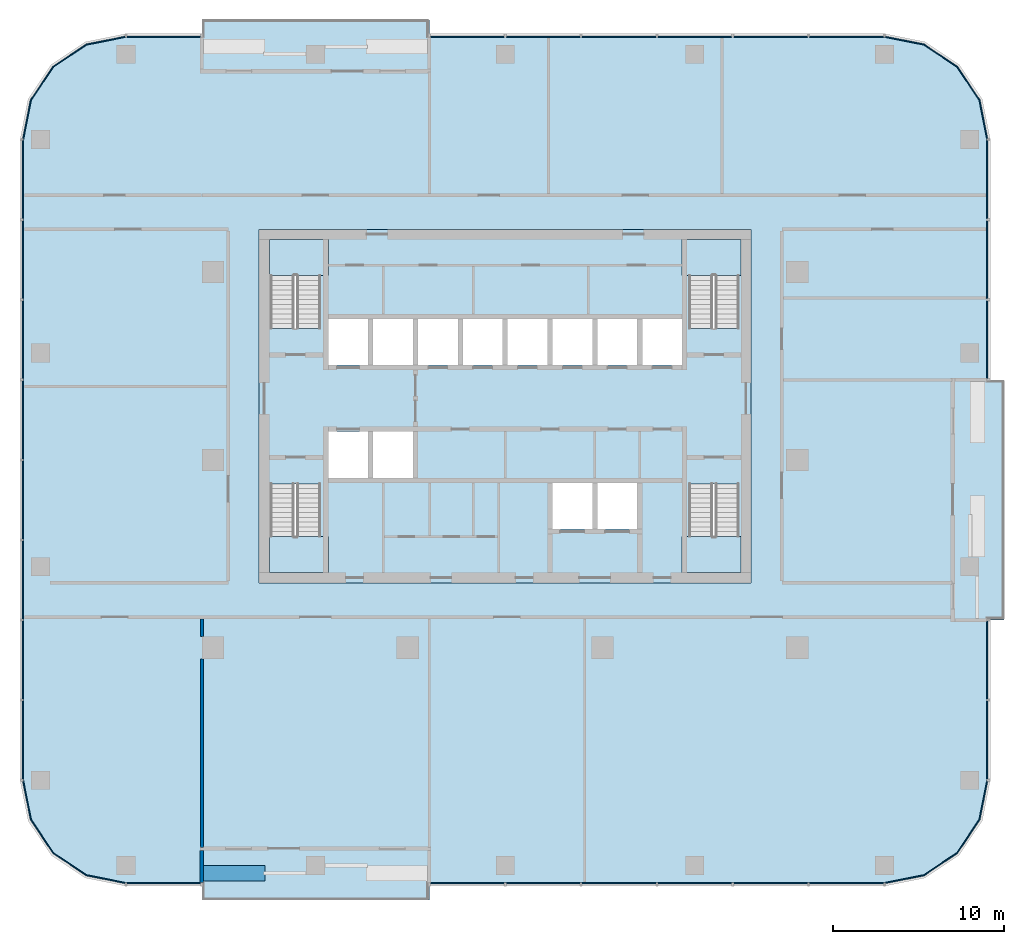
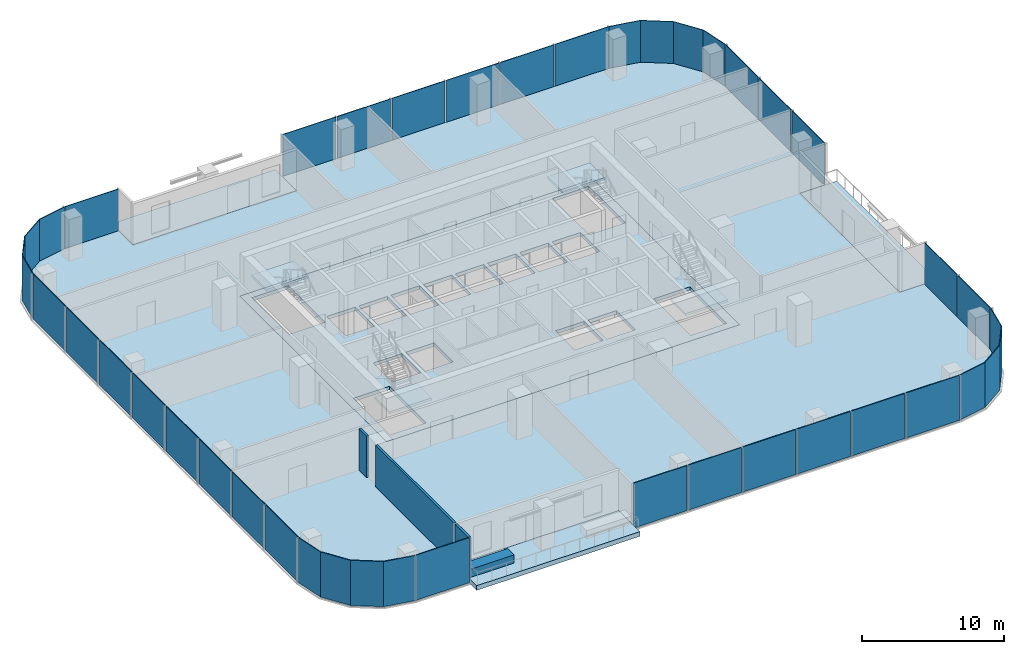
# One storey, part 6 of 14: 31 plates, 9 slabs, 4 walls, 15 elements without a shape of their own.
"""IFC4 building model written with IfcOpenShell, lengths in metres."""

from ifc_helpers import new_model, si_unit, direction, frame, frame_2d, origin, origin_2d, place, context, subcontext, project, spatial, polyline, rectangle, outline, extrude, material, layer, layer_set, type_object, element, aggregate, save


model = new_model("IFC4")

# Units and contexts
model_context = context("Model", 3, precision=1e-05, world=origin(), true_north=direction((0.0, 1.0)))
body_context = subcontext(model_context, "Body", "Model", "MODEL_VIEW")
ifc_project = project(units=[si_unit("LENGTHUNIT", "METRE"), si_unit("AREAUNIT", "SQUARE_METRE"), si_unit("VOLUMEUNIT", "CUBIC_METRE"), si_unit("PLANEANGLEUNIT", "RADIAN"), si_unit("MASSUNIT", "GRAM", prefix="KILO")], contexts=[model_context])

# Site, building, storey
site_placement = place(None, origin())
site = spatial("IfcSite", under=ifc_project, at=site_placement, CompositionType="ELEMENT")
building_placement = place(site_placement, origin())
building = spatial("IfcBuilding", under=site, at=building_placement, Name="Mopane Tessera Tower", CompositionType="ELEMENT")
storey_placement = place(building_placement, frame((0.0, 0.0, 219.0)))
storey = spatial("IfcBuildingStorey", under=building, at=storey_placement, Name="L46", CompositionType="ELEMENT", Elevation=219.0)

# Slab
ifc_material_1 = material(Name="Concrete C40/50", Category="concrete")
ifc_layer_1 = layer(ifc_material_1, 0.300048828125)
ifc_layer_set_1 = layer_set([ifc_layer_1], Name="Concrete C40/50")
slab_type_1 = type_object("IfcSlabType", Name="Core floor slab 300 mm", PredefinedType="FLOOR", material=ifc_layer_set_1)
slab_1_placement = place(storey_placement, frame((0.0, 0.0, -0.300048828125)))
element("IfcSlab", 1, at=slab_1_placement, inside=storey, type_object=slab_type_1, Name="L46 core floor slab", PredefinedType="FLOOR", context=body_context, shape_type="SweptSolid", body=[
    extrude(outline(polyline([(-14.39990234375, -7.199951171875), (14.39990234375, -7.199951171875), (14.39990234375, 13.5), (-14.39990234375, 13.5), (-14.39990234375, -7.199951171875)]), holes=[polyline([(-10.35009765625, -1.050048828125), (-8.02490234375, -1.050048828125), (-8.02490234375, 1.64990234375), (-10.35009765625, 1.64990234375), (-10.35009765625, -1.050048828125)]), polyline([(-7.72509765625, -1.050048828125), (-5.39990234375, -1.050048828125), (-5.39990234375, 1.64990234375), (-7.72509765625, 1.64990234375), (-7.72509765625, -1.050048828125)]), polyline([(-10.35009765625, 5.550048828125), (-8.02490234375, 5.550048828125), (-8.02490234375, 8.25), (-10.35009765625, 8.25), (-10.35009765625, 5.550048828125)]), polyline([(-7.72509765625, 5.550048828125), (-5.39990234375, 5.550048828125), (-5.39990234375, 8.25), (-7.72509765625, 8.25), (-7.72509765625, 5.550048828125)]), polyline([(-5.10009765625, 5.550048828125), (-2.77490234375, 5.550048828125), (-2.77490234375, 8.25), (-5.10009765625, 8.25), (-5.10009765625, 5.550048828125)]), polyline([(-2.47509765625, 5.550048828125), (-0.14990234375, 5.550048828125), (-0.14990234375, 8.25), (-2.47509765625, 8.25), (-2.47509765625, 5.550048828125)]), polyline([(0.14990234375, 5.550048828125), (2.47509765625, 5.550048828125), (2.47509765625, 8.25), (0.14990234375, 8.25), (0.14990234375, 5.550048828125)]), polyline([(2.77490234375, 5.550048828125), (5.10009765625, 5.550048828125), (5.10009765625, 8.25), (2.77490234375, 8.25), (2.77490234375, 5.550048828125)]), polyline([(5.39990234375, 5.550048828125), (7.72509765625, 5.550048828125), (7.72509765625, 8.25), (5.39990234375, 8.25), (5.39990234375, 5.550048828125)]), polyline([(8.02490234375, 5.550048828125), (10.35009765625, 5.550048828125), (10.35009765625, 8.25), (8.02490234375, 8.25), (8.02490234375, 5.550048828125)]), polyline([(2.77490234375, -4.050048828125), (5.10009765625, -4.050048828125), (5.10009765625, -1.35009765625), (2.77490234375, -1.35009765625), (2.77490234375, -4.050048828125)]), polyline([(5.39990234375, -4.050048828125), (7.72509765625, -4.050048828125), (7.72509765625, -1.35009765625), (5.39990234375, -1.35009765625), (5.39990234375, -4.050048828125)]), polyline([(-13.75, -1.405029296875), (-13.75, -6.60009765625), (-10.800048828125, -6.60009765625), (-10.800048828125, -1.405029296875), (-13.75, -1.405029296875)]), polyline([(-10.800048828125, 7.705078125), (-10.800048828125, 12.89990234375), (-13.75, 12.89990234375), (-13.75, 7.705078125), (-10.800048828125, 7.705078125)]), polyline([(10.75, -1.405029296875), (10.75, -6.60009765625), (13.699951171875, -6.60009765625), (13.699951171875, -1.405029296875), (10.75, -1.405029296875)]), polyline([(13.699951171875, 7.705078125), (13.699951171875, 12.89990234375), (10.75, 12.89990234375), (10.75, 7.705078125), (13.699951171875, 7.705078125)])]), origin(), (0.0, 0.0, 1.0), 0.300048828125),
])

# Stair, slab
ifc_material_2 = material(Name="Concrete C50/60", Category="concrete")
stair_type = type_object("IfcStairType", Name="Escape stair 1400 mm, riser 167 mm", PredefinedType="HALF_TURN_STAIR", material=ifc_material_2)
stair_1_placement = place(storey_placement, origin())
stair_1 = element("IfcStair", 2, at=stair_1_placement, inside=storey, type_object=stair_type, Name="L46 Escape stair south-west", PredefinedType="HALF_TURN_STAIR")
ifc_material_3 = material(Name="Concrete C50/60", Category="concrete")
ifc_layer_2 = layer(ifc_material_3, 0.199951171875)
ifc_layer_set_2 = layer_set([ifc_layer_2], Name="Concrete C50/60")
slab_type_2 = type_object("IfcSlabType", Name="Escape stair landing 200 mm", PredefinedType="LANDING", material=ifc_layer_set_2)
slab_2_placement = place(storey_placement, frame((0.0, 0.0, 1.800048828125)))
slab_2 = element("IfcSlab", 3, at=slab_2_placement, type_object=slab_type_2, Name="ST1 landing 1", PredefinedType="LANDING", context=body_context, shape_type="SweptSolid", body=[
    extrude(outline(polyline([(-13.800048828125, -4.47998046875), (-13.800048828125, -6.60009765625), (-10.35009765625, -6.60009765625), (-10.35009765625, -4.47998046875), (-13.800048828125, -4.47998046875)])), origin(), (0.0, 0.0, 1.0), 0.199951171875),
])
aggregate(stair_1, [slab_2])

stair_2_placement = place(storey_placement, origin())
stair_2 = element("IfcStair", 4, at=stair_2_placement, inside=storey, type_object=stair_type, Name="L46 Escape stair north-west", PredefinedType="HALF_TURN_STAIR")
slab_3_placement = place(storey_placement, frame((0.0, 0.0, 1.800048828125)))
slab_3 = element("IfcSlab", 5, at=slab_3_placement, type_object=slab_type_2, Name="ST2 landing 1", PredefinedType="LANDING", context=body_context, shape_type="SweptSolid", body=[
    extrude(outline(polyline([(-10.35009765625, 10.780029296875), (-10.35009765625, 12.89990234375), (-13.800048828125, 12.89990234375), (-13.800048828125, 10.780029296875), (-10.35009765625, 10.780029296875)])), origin(), (0.0, 0.0, 1.0), 0.199951171875),
])
aggregate(stair_2, [slab_3])

stair_3_placement = place(storey_placement, origin())
stair_3 = element("IfcStair", 6, at=stair_3_placement, inside=storey, type_object=stair_type, Name="L46 Escape stair south-east", PredefinedType="HALF_TURN_STAIR")
slab_4_placement = place(storey_placement, frame((0.0, 0.0, 1.800048828125)))
slab_4 = element("IfcSlab", 7, at=slab_4_placement, type_object=slab_type_2, Name="ST3 landing 1", PredefinedType="LANDING", context=body_context, shape_type="SweptSolid", body=[
    extrude(outline(polyline([(10.35009765625, -4.47998046875), (10.35009765625, -6.60009765625), (13.800048828125, -6.60009765625), (13.800048828125, -4.47998046875), (10.35009765625, -4.47998046875)])), origin(), (0.0, 0.0, 1.0), 0.199951171875),
])
aggregate(stair_3, [slab_4])

stair_4_placement = place(storey_placement, origin())
stair_4 = element("IfcStair", 8, at=stair_4_placement, inside=storey, type_object=stair_type, Name="L46 Escape stair north-east", PredefinedType="HALF_TURN_STAIR")
slab_5_placement = place(storey_placement, frame((0.0, 0.0, 1.800048828125)))
slab_5 = element("IfcSlab", 9, at=slab_5_placement, type_object=slab_type_2, Name="ST4 landing 1", PredefinedType="LANDING", context=body_context, shape_type="SweptSolid", body=[
    extrude(outline(polyline([(13.800048828125, 10.780029296875), (13.800048828125, 12.89990234375), (10.35009765625, 12.89990234375), (10.35009765625, 10.780029296875), (13.800048828125, 10.780029296875)])), origin(), (0.0, 0.0, 1.0), 0.199951171875),
])
aggregate(stair_4, [slab_5])

# Slabs
ifc_material_4 = material(Name="Concrete C40/50", Category="concrete")
ifc_layer_3 = layer(ifc_material_4, 0.39990234375)
ifc_layer_set_3 = layer_set([ifc_layer_3], Name="Concrete C40/50")
slab_type_3 = type_object("IfcSlabType", Name="Planted terrace slab 400 mm", PredefinedType="FLOOR", material=ifc_layer_set_3)
slab_6_placement = place(storey_placement, frame((0.0, 0.0, -0.39990234375)))
element("IfcSlab", 10, at=slab_6_placement, inside=storey, type_object=slab_type_3, Name="Terrace slab N1 L46", PredefinedType="FLOOR", context=body_context, shape_type="SweptSolid", body=[
    extrude(outline(polyline([(-4.43994140625, -25.75), (-4.43994140625, -22.75), (-17.760009765625, -22.75), (-17.760009765625, -25.75), (-4.43994140625, -25.75)])), origin(), (0.0, 0.0, 1.0), 0.39990234375),
])
slab_7_placement = place(storey_placement, frame((0.0, 0.0, -0.39990234375)))
element("IfcSlab", 11, at=slab_7_placement, inside=storey, type_object=slab_type_3, Name="Terrace slab N2 L46", PredefinedType="FLOOR", context=body_context, shape_type="SweptSolid", body=[
    extrude(outline(polyline([(29.199951171875, 4.6875), (26.199951171875, 4.6875), (26.199951171875, -9.375), (29.199951171875, -9.375), (29.199951171875, 4.6875)])), origin(), (0.0, 0.0, 1.0), 0.39990234375),
])
slab_8_placement = place(storey_placement, frame((0.0, 0.0, -0.39990234375)))
element("IfcSlab", 12, at=slab_8_placement, inside=storey, type_object=slab_type_3, Name="Terrace slab N3 L46", PredefinedType="FLOOR", context=body_context, shape_type="SweptSolid", body=[
    extrude(outline(polyline([(-17.760009765625, 25.75), (-17.760009765625, 22.75), (-4.43994140625, 22.75), (-4.43994140625, 25.75), (-17.760009765625, 25.75)])), origin(), (0.0, 0.0, 1.0), 0.39990234375),
])
ifc_material_5 = material(Name="Concrete C40/50", Category="concrete")
ifc_layer_4 = layer(ifc_material_5, 0.39990234375)
ifc_layer_set_4 = layer_set([ifc_layer_4], Name="Concrete C40/50")
slab_type_4 = type_object("IfcSlabType", Name="Post-tensioned flat plate 400 mm", PredefinedType="FLOOR", material=ifc_layer_set_4)
slab_9_placement = place(storey_placement, frame((0.0, 0.0, -0.39990234375)))
element("IfcSlab", 13, at=slab_9_placement, inside=storey, type_object=slab_type_4, Name="Floor slab L46", PredefinedType="FLOOR", context=body_context, shape_type="SweptSolid", body=[
    extrude(outline(polyline([(-22.199951171875, -24.75), (-17.760009765625, -24.75), (-17.760009765625, -22.75), (-4.43994140625, -22.75), (-4.43994140625, -24.75), (22.199951171875, -24.75), (24.49609375, -24.293212890625), (26.442626953125, -22.99267578125), (27.7431640625, -21.046142578125), (28.199951171875, -18.75), (28.199951171875, -9.375), (26.199951171875, -9.375), (26.199951171875, 4.6875), (28.199951171875, 4.6875), (28.199951171875, 18.75), (27.7431640625, 21.046142578125), (26.442626953125, 22.99267578125), (24.49609375, 24.293212890625), (22.199951171875, 24.75), (-4.43994140625, 24.75), (-4.43994140625, 22.75), (-17.760009765625, 22.75), (-17.760009765625, 24.75), (-22.199951171875, 24.75), (-24.49609375, 24.293212890625), (-26.442626953125, 22.99267578125), (-27.7431640625, 21.046142578125), (-28.199951171875, 18.75), (-28.199951171875, -18.75), (-27.7431640625, -21.046142578125), (-26.442626953125, -22.99267578125), (-24.49609375, -24.293212890625), (-22.199951171875, -24.75)]), holes=[polyline([(14.39990234375, -7.199951171875), (-14.39990234375, -7.199951171875), (-14.39990234375, 13.5), (14.39990234375, 13.5), (14.39990234375, -7.199951171875)])]), origin(), (0.0, 0.0, 1.0), 0.39990234375),
])

# Curtain wall, plate
ifc_material_6 = material(Name="Aluminium frame", Category="aluminium")
curtain_wall_type = type_object("IfcCurtainWallType", Name="Unitised curtain wall", PredefinedType="NOTDEFINED", material=ifc_material_6)
curtain_wall_1_placement = place(storey_placement, origin())
curtain_wall_1 = element("IfcCurtainWall", 14, at=curtain_wall_1_placement, inside=storey, type_object=curtain_wall_type, Name="e:cw:L46:S:0", PredefinedType="NOTDEFINED")
ifc_material_7 = material(Name="Clear laminated glass", Category="glass")
ifc_layer_5 = layer(ifc_material_7, 0.06005859375)
ifc_layer_set_5 = layer_set([ifc_layer_5], Name="Clear laminated glass")
plate_type = type_object("IfcPlateType", Name="Unitised glazed unit", PredefinedType="CURTAIN_PANEL", material=ifc_layer_set_5)
plate_1_placement = place(storey_placement, frame((-19.97998046875, -24.780029296875, -0.280029296875), z_axis=(0.0, 0.0, 1.0), x_axis=(1.0, 0.0, 0.0)))
plate_1 = element("IfcPlate", 15, at=plate_1_placement, type_object=plate_type, Name="e:cw:L46:S:0:pn0", PredefinedType="CURTAIN_PANEL", context=body_context, shape_type="SweptSolid", body=[
    extrude(rectangle(XDim=4.340087890625, YDim=0.06005859375, at=origin_2d()), origin(), (0.0, 0.0, 1.0), 3.8798828125),
])
aggregate(curtain_wall_1, [plate_1])

# Curtain wall, plates
curtain_wall_2_placement = place(storey_placement, origin())
curtain_wall_2 = element("IfcCurtainWall", 16, at=curtain_wall_2_placement, inside=storey, type_object=curtain_wall_type, Name="e:cw:L46:S:4", PredefinedType="NOTDEFINED")
plate_2_placement = place(storey_placement, frame((-2.219970703125, -24.780029296875, -0.280029296875), z_axis=(0.0, 0.0, 1.0), x_axis=(1.0, 0.0, 0.0)))
plate_2 = element("IfcPlate", 17, at=plate_2_placement, type_object=plate_type, Name="e:cw:L46:S:4:pn4", PredefinedType="CURTAIN_PANEL", context=body_context, shape_type="SweptSolid", body=[
    extrude(rectangle(XDim=4.340087890625, YDim=0.06005859375, at=origin_2d()), origin(), (0.0, 0.0, 1.0), 3.8798828125),
])
plate_3_placement = place(storey_placement, frame((2.219970703125, -24.780029296875, -0.280029296875), z_axis=(0.0, 0.0, 1.0), x_axis=(1.0, 0.0, 0.0)))
plate_3 = element("IfcPlate", 18, at=plate_3_placement, type_object=plate_type, Name="e:cw:L46:S:4:pn5", PredefinedType="CURTAIN_PANEL", context=body_context, shape_type="SweptSolid", body=[
    extrude(rectangle(XDim=4.340087890625, YDim=0.06005859375, at=origin_2d()), origin(), (0.0, 0.0, 1.0), 3.8798828125),
])
plate_4_placement = place(storey_placement, frame((6.659912109375, -24.780029296875, -0.280029296875), z_axis=(0.0, 0.0, 1.0), x_axis=(1.0, 0.0, 0.0)))
plate_4 = element("IfcPlate", 19, at=plate_4_placement, type_object=plate_type, Name="e:cw:L46:S:4:pn6", PredefinedType="CURTAIN_PANEL", context=body_context, shape_type="SweptSolid", body=[
    extrude(rectangle(XDim=4.340087890625, YDim=0.06005859375, at=origin_2d()), origin(), (0.0, 0.0, 1.0), 3.8798828125),
])
plate_5_placement = place(storey_placement, frame((11.10009765625, -24.780029296875, -0.280029296875), z_axis=(0.0, 0.0, 1.0), x_axis=(1.0, 0.0, 0.0)))
plate_5 = element("IfcPlate", 20, at=plate_5_placement, type_object=plate_type, Name="e:cw:L46:S:4:pn7", PredefinedType="CURTAIN_PANEL", context=body_context, shape_type="SweptSolid", body=[
    extrude(rectangle(XDim=4.340087890625, YDim=0.06005859375, at=origin_2d()), origin(), (0.0, 0.0, 1.0), 3.8798828125),
])
plate_6_placement = place(storey_placement, frame((15.5400390625, -24.780029296875, -0.280029296875), z_axis=(0.0, 0.0, 1.0), x_axis=(1.0, 0.0, 0.0)))
plate_6 = element("IfcPlate", 21, at=plate_6_placement, type_object=plate_type, Name="e:cw:L46:S:4:pn8", PredefinedType="CURTAIN_PANEL", context=body_context, shape_type="SweptSolid", body=[
    extrude(rectangle(XDim=4.340087890625, YDim=0.06005859375, at=origin_2d()), origin(), (0.0, 0.0, 1.0), 3.8798828125),
])
plate_7_placement = place(storey_placement, frame((19.97998046875, -24.780029296875, -0.280029296875), z_axis=(0.0, 0.0, 1.0), x_axis=(1.0, 0.0, 0.0)))
plate_7 = element("IfcPlate", 22, at=plate_7_placement, type_object=plate_type, Name="e:cw:L46:S:4:pn9", PredefinedType="CURTAIN_PANEL", context=body_context, shape_type="SweptSolid", body=[
    extrude(rectangle(XDim=4.340087890625, YDim=0.06005859375, at=origin_2d()), origin(), (0.0, 0.0, 1.0), 3.8798828125),
])
aggregate(curtain_wall_2, [plate_2, plate_3, plate_4, plate_5, plate_6, plate_7])

# Curtain wall, plate
curtain_wall_3_placement = place(storey_placement, origin())
curtain_wall_3 = element("IfcCurtainWall", 23, at=curtain_wall_3_placement, inside=storey, type_object=curtain_wall_type, Name="e:cw:L46:CS", PredefinedType="NOTDEFINED")
plate_8_placement = place(storey_placement, frame((0.0, 0.0, -0.280029296875)))
plate_8 = element("IfcPlate", 24, at=plate_8_placement, type_object=plate_type, Name="e:cw:L46:CS:pn", PredefinedType="CURTAIN_PANEL", context=body_context, shape_type="SweptSolid", body=[
    extrude(outline(polyline([(22.199951171875, -24.75), (24.49609375, -24.293212890625), (26.442626953125, -22.99267578125), (27.7431640625, -21.046142578125), (28.199951171875, -18.75), (28.260009765625, -18.75), (27.798828125, -21.069091796875), (26.485107421875, -23.03515625), (24.51904296875, -24.3486328125), (22.199951171875, -24.81005859375), (22.199951171875, -24.75)])), origin(), (0.0, 0.0, 1.0), 3.880126953125),
])
aggregate(curtain_wall_3, [plate_8])

# Curtain wall, plates
curtain_wall_4_placement = place(storey_placement, origin())
curtain_wall_4 = element("IfcCurtainWall", 25, at=curtain_wall_4_placement, inside=storey, type_object=curtain_wall_type, Name="e:cw:L46:E:0", PredefinedType="NOTDEFINED")
plate_9_placement = place(storey_placement, frame((28.22998046875, -16.40625, -0.280029296875), z_axis=(0.0, 0.0, 1.0), x_axis=(0.0, 1.0, 0.0)))
plate_9 = element("IfcPlate", 26, at=plate_9_placement, type_object=plate_type, Name="e:cw:L46:E:0:pn0", PredefinedType="CURTAIN_PANEL", context=body_context, shape_type="SweptSolid", body=[
    extrude(rectangle(XDim=4.58740234375, YDim=0.06005859375, at=origin_2d()), origin(), (0.0, 0.0, 1.0), 3.8798828125),
])
plate_10_placement = place(storey_placement, frame((28.22998046875, -11.71875, -0.280029296875), z_axis=(0.0, 0.0, 1.0), x_axis=(0.0, 1.0, 0.0)))
plate_10 = element("IfcPlate", 27, at=plate_10_placement, type_object=plate_type, Name="e:cw:L46:E:0:pn1", PredefinedType="CURTAIN_PANEL", context=body_context, shape_type="SweptSolid", body=[
    extrude(rectangle(XDim=4.58740234375, YDim=0.06005859375, at=origin_2d()), origin(), (0.0, 0.0, 1.0), 3.8798828125),
])
aggregate(curtain_wall_4, [plate_9, plate_10])

curtain_wall_5_placement = place(storey_placement, origin())
curtain_wall_5 = element("IfcCurtainWall", 28, at=curtain_wall_5_placement, inside=storey, type_object=curtain_wall_type, Name="e:cw:L46:E:5", PredefinedType="NOTDEFINED")
plate_11_placement = place(storey_placement, frame((28.22998046875, 7.03125, -0.280029296875), z_axis=(0.0, 0.0, 1.0), x_axis=(0.0, 1.0, 0.0)))
plate_11 = element("IfcPlate", 29, at=plate_11_placement, type_object=plate_type, Name="e:cw:L46:E:5:pn5", PredefinedType="CURTAIN_PANEL", context=body_context, shape_type="SweptSolid", body=[
    extrude(rectangle(XDim=4.58740234375, YDim=0.06005859375, at=origin_2d()), origin(), (0.0, 0.0, 1.0), 3.8798828125),
])
plate_12_placement = place(storey_placement, frame((28.22998046875, 11.71875, -0.280029296875), z_axis=(0.0, 0.0, 1.0), x_axis=(0.0, 1.0, 0.0)))
plate_12 = element("IfcPlate", 30, at=plate_12_placement, type_object=plate_type, Name="e:cw:L46:E:5:pn6", PredefinedType="CURTAIN_PANEL", context=body_context, shape_type="SweptSolid", body=[
    extrude(rectangle(XDim=4.58740234375, YDim=0.06005859375, at=origin_2d()), origin(), (0.0, 0.0, 1.0), 3.8798828125),
])
plate_13_placement = place(storey_placement, frame((28.22998046875, 16.40625, -0.280029296875), z_axis=(0.0, 0.0, 1.0), x_axis=(0.0, 1.0, 0.0)))
plate_13 = element("IfcPlate", 31, at=plate_13_placement, type_object=plate_type, Name="e:cw:L46:E:5:pn7", PredefinedType="CURTAIN_PANEL", context=body_context, shape_type="SweptSolid", body=[
    extrude(rectangle(XDim=4.58740234375, YDim=0.06005859375, at=origin_2d()), origin(), (0.0, 0.0, 1.0), 3.8798828125),
])
aggregate(curtain_wall_5, [plate_11, plate_12, plate_13])

# Curtain wall, plate
curtain_wall_6_placement = place(storey_placement, origin())
curtain_wall_6 = element("IfcCurtainWall", 32, at=curtain_wall_6_placement, inside=storey, type_object=curtain_wall_type, Name="e:cw:L46:CE", PredefinedType="NOTDEFINED")
plate_14_placement = place(storey_placement, frame((0.0, 0.0, -0.280029296875)))
plate_14 = element("IfcPlate", 33, at=plate_14_placement, type_object=plate_type, Name="e:cw:L46:CE:pn", PredefinedType="CURTAIN_PANEL", context=body_context, shape_type="SweptSolid", body=[
    extrude(outline(polyline([(28.199951171875, 18.75), (27.7431640625, 21.046142578125), (26.442626953125, 22.99267578125), (24.49609375, 24.293212890625), (22.199951171875, 24.75), (22.199951171875, 24.81005859375), (24.51904296875, 24.3486328125), (26.485107421875, 23.03515625), (27.798828125, 21.069091796875), (28.260009765625, 18.75), (28.199951171875, 18.75)])), origin(), (0.0, 0.0, 1.0), 3.880126953125),
])
aggregate(curtain_wall_6, [plate_14])

# Curtain wall, plates
curtain_wall_7_placement = place(storey_placement, origin())
curtain_wall_7 = element("IfcCurtainWall", 34, at=curtain_wall_7_placement, inside=storey, type_object=curtain_wall_type, Name="e:cw:L46:N:0", PredefinedType="NOTDEFINED")
plate_15_placement = place(storey_placement, frame((19.97998046875, 24.780029296875, -0.280029296875), z_axis=(0.0, 0.0, 1.0), x_axis=(-1.0, 0.0, 0.0)))
plate_15 = element("IfcPlate", 35, at=plate_15_placement, type_object=plate_type, Name="e:cw:L46:N:0:pn0", PredefinedType="CURTAIN_PANEL", context=body_context, shape_type="SweptSolid", body=[
    extrude(rectangle(XDim=4.340087890625, YDim=0.06005859375, at=origin_2d()), origin(), (0.0, 0.0, 1.0), 3.8798828125),
])
plate_16_placement = place(storey_placement, frame((15.5400390625, 24.780029296875, -0.280029296875), z_axis=(0.0, 0.0, 1.0), x_axis=(-1.0, 0.0, 0.0)))
plate_16 = element("IfcPlate", 36, at=plate_16_placement, type_object=plate_type, Name="e:cw:L46:N:0:pn1", PredefinedType="CURTAIN_PANEL", context=body_context, shape_type="SweptSolid", body=[
    extrude(rectangle(XDim=4.340087890625, YDim=0.06005859375, at=origin_2d()), origin(), (0.0, 0.0, 1.0), 3.8798828125),
])
plate_17_placement = place(storey_placement, frame((11.10009765625, 24.780029296875, -0.280029296875), z_axis=(0.0, 0.0, 1.0), x_axis=(-1.0, 0.0, 0.0)))
plate_17 = element("IfcPlate", 37, at=plate_17_placement, type_object=plate_type, Name="e:cw:L46:N:0:pn2", PredefinedType="CURTAIN_PANEL", context=body_context, shape_type="SweptSolid", body=[
    extrude(rectangle(XDim=4.340087890625, YDim=0.06005859375, at=origin_2d()), origin(), (0.0, 0.0, 1.0), 3.8798828125),
])
plate_18_placement = place(storey_placement, frame((6.659912109375, 24.780029296875, -0.280029296875), z_axis=(0.0, 0.0, 1.0), x_axis=(-1.0, 0.0, 0.0)))
plate_18 = element("IfcPlate", 38, at=plate_18_placement, type_object=plate_type, Name="e:cw:L46:N:0:pn3", PredefinedType="CURTAIN_PANEL", context=body_context, shape_type="SweptSolid", body=[
    extrude(rectangle(XDim=4.340087890625, YDim=0.06005859375, at=origin_2d()), origin(), (0.0, 0.0, 1.0), 3.8798828125),
])
plate_19_placement = place(storey_placement, frame((2.219970703125, 24.780029296875, -0.280029296875), z_axis=(0.0, 0.0, 1.0), x_axis=(-1.0, 0.0, 0.0)))
plate_19 = element("IfcPlate", 39, at=plate_19_placement, type_object=plate_type, Name="e:cw:L46:N:0:pn4", PredefinedType="CURTAIN_PANEL", context=body_context, shape_type="SweptSolid", body=[
    extrude(rectangle(XDim=4.340087890625, YDim=0.06005859375, at=origin_2d()), origin(), (0.0, 0.0, 1.0), 3.8798828125),
])
plate_20_placement = place(storey_placement, frame((-2.219970703125, 24.780029296875, -0.280029296875), z_axis=(0.0, 0.0, 1.0), x_axis=(-1.0, 0.0, 0.0)))
plate_20 = element("IfcPlate", 40, at=plate_20_placement, type_object=plate_type, Name="e:cw:L46:N:0:pn5", PredefinedType="CURTAIN_PANEL", context=body_context, shape_type="SweptSolid", body=[
    extrude(rectangle(XDim=4.340087890625, YDim=0.06005859375, at=origin_2d()), origin(), (0.0, 0.0, 1.0), 3.8798828125),
])
aggregate(curtain_wall_7, [plate_15, plate_16, plate_17, plate_18, plate_19, plate_20])

# Curtain wall, plate
curtain_wall_8_placement = place(storey_placement, origin())
curtain_wall_8 = element("IfcCurtainWall", 41, at=curtain_wall_8_placement, inside=storey, type_object=curtain_wall_type, Name="e:cw:L46:N:9", PredefinedType="NOTDEFINED")
plate_21_placement = place(storey_placement, frame((-19.97998046875, 24.780029296875, -0.280029296875), z_axis=(0.0, 0.0, 1.0), x_axis=(-1.0, 0.0, 0.0)))
plate_21 = element("IfcPlate", 42, at=plate_21_placement, type_object=plate_type, Name="e:cw:L46:N:9:pn9", PredefinedType="CURTAIN_PANEL", context=body_context, shape_type="SweptSolid", body=[
    extrude(rectangle(XDim=4.340087890625, YDim=0.06005859375, at=origin_2d()), origin(), (0.0, 0.0, 1.0), 3.8798828125),
])
aggregate(curtain_wall_8, [plate_21])

curtain_wall_9_placement = place(storey_placement, origin())
curtain_wall_9 = element("IfcCurtainWall", 43, at=curtain_wall_9_placement, inside=storey, type_object=curtain_wall_type, Name="e:cw:L46:CN", PredefinedType="NOTDEFINED")
plate_22_placement = place(storey_placement, frame((0.0, 0.0, -0.280029296875)))
plate_22 = element("IfcPlate", 44, at=plate_22_placement, type_object=plate_type, Name="e:cw:L46:CN:pn", PredefinedType="CURTAIN_PANEL", context=body_context, shape_type="SweptSolid", body=[
    extrude(outline(polyline([(-22.199951171875, 24.75), (-24.49609375, 24.293212890625), (-26.442626953125, 22.99267578125), (-27.7431640625, 21.046142578125), (-28.199951171875, 18.75), (-28.260009765625, 18.75), (-27.798828125, 21.069091796875), (-26.485107421875, 23.03515625), (-24.51904296875, 24.3486328125), (-22.199951171875, 24.81005859375), (-22.199951171875, 24.75)])), origin(), (0.0, 0.0, 1.0), 3.880126953125),
])
aggregate(curtain_wall_9, [plate_22])

# Curtain wall, plates
curtain_wall_10_placement = place(storey_placement, origin())
curtain_wall_10 = element("IfcCurtainWall", 45, at=curtain_wall_10_placement, inside=storey, type_object=curtain_wall_type, Name="e:cw:L46:W:0", PredefinedType="NOTDEFINED")
plate_23_placement = place(storey_placement, frame((-28.22998046875, 16.40625, -0.280029296875), z_axis=(0.0, 0.0, 1.0), x_axis=(0.0, -1.0, 0.0)))
plate_23 = element("IfcPlate", 46, at=plate_23_placement, type_object=plate_type, Name="e:cw:L46:W:0:pn0", PredefinedType="CURTAIN_PANEL", context=body_context, shape_type="SweptSolid", body=[
    extrude(rectangle(XDim=4.58740234375, YDim=0.06005859375, at=origin_2d()), origin(), (0.0, 0.0, 1.0), 3.8798828125),
])
plate_24_placement = place(storey_placement, frame((-28.22998046875, 11.71875, -0.280029296875), z_axis=(0.0, 0.0, 1.0), x_axis=(0.0, -1.0, 0.0)))
plate_24 = element("IfcPlate", 47, at=plate_24_placement, type_object=plate_type, Name="e:cw:L46:W:0:pn1", PredefinedType="CURTAIN_PANEL", context=body_context, shape_type="SweptSolid", body=[
    extrude(rectangle(XDim=4.58740234375, YDim=0.06005859375, at=origin_2d()), origin(), (0.0, 0.0, 1.0), 3.8798828125),
])
plate_25_placement = place(storey_placement, frame((-28.22998046875, 7.03125, -0.280029296875), z_axis=(0.0, 0.0, 1.0), x_axis=(0.0, -1.0, 0.0)))
plate_25 = element("IfcPlate", 48, at=plate_25_placement, type_object=plate_type, Name="e:cw:L46:W:0:pn2", PredefinedType="CURTAIN_PANEL", context=body_context, shape_type="SweptSolid", body=[
    extrude(rectangle(XDim=4.58740234375, YDim=0.06005859375, at=origin_2d()), origin(), (0.0, 0.0, 1.0), 3.8798828125),
])
plate_26_placement = place(storey_placement, frame((-28.22998046875, 2.34375, -0.280029296875), z_axis=(0.0, 0.0, 1.0), x_axis=(0.0, -1.0, 0.0)))
plate_26 = element("IfcPlate", 49, at=plate_26_placement, type_object=plate_type, Name="e:cw:L46:W:0:pn3", PredefinedType="CURTAIN_PANEL", context=body_context, shape_type="SweptSolid", body=[
    extrude(rectangle(XDim=4.58740234375, YDim=0.06005859375, at=origin_2d()), origin(), (0.0, 0.0, 1.0), 3.8798828125),
])
plate_27_placement = place(storey_placement, frame((-28.22998046875, -2.34375, -0.280029296875), z_axis=(0.0, 0.0, 1.0), x_axis=(0.0, -1.0, 0.0)))
plate_27 = element("IfcPlate", 50, at=plate_27_placement, type_object=plate_type, Name="e:cw:L46:W:0:pn4", PredefinedType="CURTAIN_PANEL", context=body_context, shape_type="SweptSolid", body=[
    extrude(rectangle(XDim=4.58740234375, YDim=0.06005859375, at=origin_2d()), origin(), (0.0, 0.0, 1.0), 3.8798828125),
])
plate_28_placement = place(storey_placement, frame((-28.22998046875, -7.03125, -0.280029296875), z_axis=(0.0, 0.0, 1.0), x_axis=(0.0, -1.0, 0.0)))
plate_28 = element("IfcPlate", 51, at=plate_28_placement, type_object=plate_type, Name="e:cw:L46:W:0:pn5", PredefinedType="CURTAIN_PANEL", context=body_context, shape_type="SweptSolid", body=[
    extrude(rectangle(XDim=4.58740234375, YDim=0.06005859375, at=origin_2d()), origin(), (0.0, 0.0, 1.0), 3.8798828125),
])
plate_29_placement = place(storey_placement, frame((-28.22998046875, -11.71875, -0.280029296875), z_axis=(0.0, 0.0, 1.0), x_axis=(0.0, -1.0, 0.0)))
plate_29 = element("IfcPlate", 52, at=plate_29_placement, type_object=plate_type, Name="e:cw:L46:W:0:pn6", PredefinedType="CURTAIN_PANEL", context=body_context, shape_type="SweptSolid", body=[
    extrude(rectangle(XDim=4.58740234375, YDim=0.06005859375, at=origin_2d()), origin(), (0.0, 0.0, 1.0), 3.8798828125),
])
plate_30_placement = place(storey_placement, frame((-28.22998046875, -16.40625, -0.280029296875), z_axis=(0.0, 0.0, 1.0), x_axis=(0.0, -1.0, 0.0)))
plate_30 = element("IfcPlate", 53, at=plate_30_placement, type_object=plate_type, Name="e:cw:L46:W:0:pn7", PredefinedType="CURTAIN_PANEL", context=body_context, shape_type="SweptSolid", body=[
    extrude(rectangle(XDim=4.58740234375, YDim=0.06005859375, at=origin_2d()), origin(), (0.0, 0.0, 1.0), 3.8798828125),
])
aggregate(curtain_wall_10, [plate_23, plate_24, plate_25, plate_26, plate_27, plate_28, plate_29, plate_30])

# Curtain wall, plate
curtain_wall_11_placement = place(storey_placement, origin())
curtain_wall_11 = element("IfcCurtainWall", 54, at=curtain_wall_11_placement, inside=storey, type_object=curtain_wall_type, Name="e:cw:L46:CW", PredefinedType="NOTDEFINED")
plate_31_placement = place(storey_placement, frame((0.0, 0.0, -0.280029296875)))
plate_31 = element("IfcPlate", 55, at=plate_31_placement, type_object=plate_type, Name="e:cw:L46:CW:pn", PredefinedType="CURTAIN_PANEL", context=body_context, shape_type="SweptSolid", body=[
    extrude(outline(polyline([(-28.199951171875, -18.75), (-27.7431640625, -21.046142578125), (-26.442626953125, -22.99267578125), (-24.49609375, -24.293212890625), (-22.199951171875, -24.75), (-22.199951171875, -24.81005859375), (-24.51904296875, -24.3486328125), (-26.485107421875, -23.03515625), (-27.798828125, -21.069091796875), (-28.260009765625, -18.75), (-28.199951171875, -18.75)])), origin(), (0.0, 0.0, 1.0), 3.880126953125),
])
aggregate(curtain_wall_11, [plate_31])

# Walls
ifc_material_8 = material(Name="Gypsum board on staggered steel studs, double layer each face, acoustic mineral wool infill", Category="steel")
ifc_layer_6 = layer(ifc_material_8, 0.175048828125)
ifc_layer_set_6 = layer_set([ifc_layer_6], Name="Gypsum board on staggered steel studs, double layer each face, acoustic mineral wool infill")
wall_type_1 = type_object("IfcWallType", Name="Gypsum board acoustic partition 175, rated EI 60", PredefinedType="PARTITIONING", material=ifc_layer_set_6)
wall_1_placement = place(storey_placement, frame((-17.760009765625, -22.699951171875, 0.0), z_axis=(0.0, 0.0, 1.0), x_axis=(0.0, 1.0, 0.0)))
element("IfcWall", 56, at=wall_1_placement, inside=storey, type_object=wall_type_1, Name="Partition L46:010", PredefinedType="PARTITIONING", context=body_context, shape_type="SweptSolid", body=[
    extrude(rectangle(XDim=11.050048828125, YDim=0.175048828125, at=frame_2d((5.52490234375, 0.0))), origin(), (0.0, 0.0, 1.0), 3.60009765625),
])
wall_2_placement = place(storey_placement, frame((-17.760009765625, -10.35009765625, 0.0), z_axis=(0.0, 0.0, 1.0), x_axis=(0.0, 1.0, 0.0)))
element("IfcWall", 57, at=wall_2_placement, inside=storey, type_object=wall_type_1, Name="Partition L46:011", PredefinedType="PARTITIONING", context=body_context, shape_type="SweptSolid", body=[
    extrude(rectangle(XDim=1.050048828125, YDim=0.175048828125, at=frame_2d((0.52490234375, 0.0))), origin(), (0.0, 0.0, 1.0), 3.60009765625),
])
ifc_material_9 = material(Name="Reinforced concrete C32/40 with waterproofing", Category="concrete")
ifc_layer_7 = layer(ifc_material_9, 0.89990234375)
ifc_layer_set_7 = layer_set([ifc_layer_7], Name="Reinforced concrete C32/40 with waterproofing")
wall_type_2 = type_object("IfcWallType", Name="Planter trough 3600 x 900", PredefinedType="STANDARD", material=ifc_layer_set_7)
wall_3_placement = place(storey_placement, frame((-17.659912109375, -24.199951171875, 0.0), z_axis=(0.0, 0.0, 1.0), x_axis=(1.0, 0.0, 0.0)))
element("IfcWall", 58, at=wall_3_placement, inside=storey, type_object=wall_type_2, Name="e:nw:L46:N1:pl0", PredefinedType="STANDARD", context=body_context, shape_type="SweptSolid", body=[
    extrude(rectangle(XDim=3.599853515625, YDim=0.89990234375, at=frame_2d((1.7998046875, 0.0))), origin(), (0.0, 0.0, 1.0), 0.699951171875),
])
ifc_material_10 = material(Name="Blockwork with glazed tile facing", Category="masonry")
ifc_layer_8 = layer(ifc_material_10, 0.199951171875)
ifc_layer_set_8 = layer_set([ifc_layer_8], Name="Blockwork with glazed tile facing")
wall_type_3 = type_object("IfcWallType", Name="Terrace cheek wall 200", PredefinedType="STANDARD", material=ifc_layer_set_8)
wall_4_placement = place(storey_placement, frame((-17.760009765625, -24.75, 0.0), z_axis=(0.0, 0.0, 1.0), x_axis=(0.0, 1.0, 0.0)))
element("IfcWall", 59, at=wall_4_placement, inside=storey, type_object=wall_type_3, Name="e:nw:L46:N1:cheeka", PredefinedType="STANDARD", context=body_context, shape_type="SweptSolid", body=[
    extrude(rectangle(XDim=1.875, YDim=0.199951171875, at=frame_2d((0.9375, 0.0))), origin(), (0.0, 0.0, 1.0), 3.60009765625),
])

save(model, "model.ifc")
